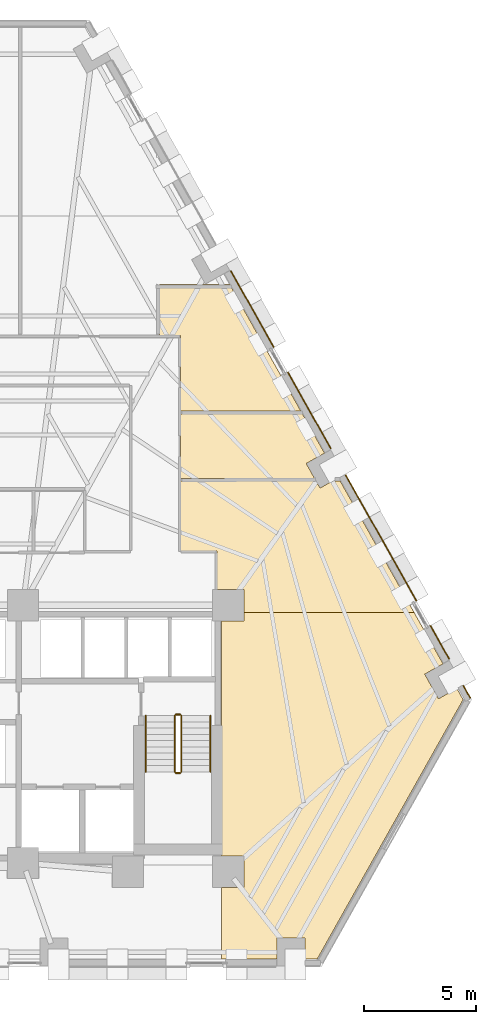
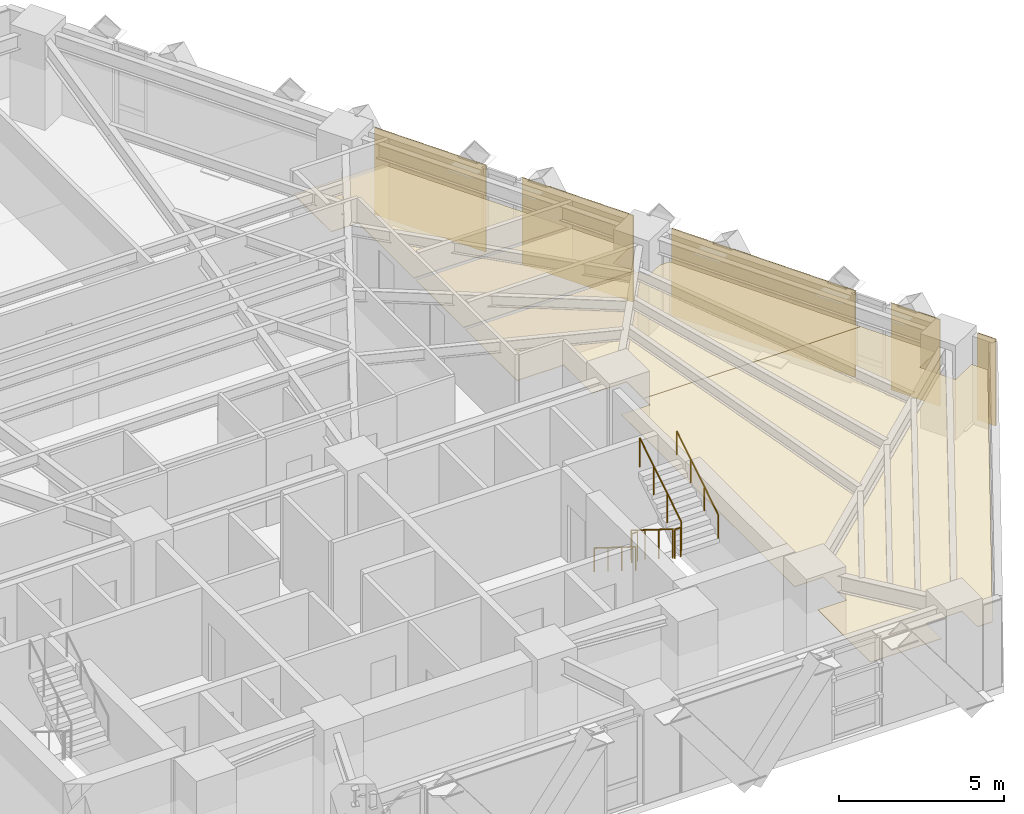
# One storey, part 12 of 13: 9 coverings, 6 railings.
"""IFC4 building model written with IfcOpenShell, lengths in metres."""

from ifc_helpers import new_model, si_unit, direction, frame, origin, origin_2d, place, context, subcontext, project, spatial, polyline, circle, outline, extrude, material, layer, layer_set, type_object, element, save


model = new_model("IFC4")

# Units and contexts
model_context = context("Model", 3, precision=1e-05, world=origin(), true_north=direction((0.0, 1.0)))
body_context = subcontext(model_context, "Body", "Model", "MODEL_VIEW")
ifc_project = project(units=[si_unit("LENGTHUNIT", "METRE"), si_unit("AREAUNIT", "SQUARE_METRE"), si_unit("VOLUMEUNIT", "CUBIC_METRE"), si_unit("PLANEANGLEUNIT", "RADIAN"), si_unit("MASSUNIT", "GRAM", prefix="KILO")], contexts=[model_context])

# Site, building, storey
site_placement = place(None, origin())
site = spatial("IfcSite", under=ifc_project, at=site_placement, CompositionType="ELEMENT")
building_placement = place(site_placement, origin())
building = spatial("IfcBuilding", under=site, at=building_placement, Name="Quenlor Broadcast Tower", CompositionType="ELEMENT")
storey_placement = place(building_placement, frame((0.0, 0.0, 48.60009765625)))
storey = spatial("IfcBuildingStorey", under=building, at=storey_placement, Name="L12", CompositionType="ELEMENT", Elevation=48.60009765625)

# Coverings
ifc_material_1 = material(Name="Acoustic Mineral Fibre Board", Category="other")
ifc_layer_1 = layer(ifc_material_1, 0.02490234375)
ifc_layer_set_1 = layer_set([ifc_layer_1], Name="Acoustic Perforated Mineral Tile Ceiling 25")
covering_type_1 = type_object("IfcCoveringType", Name="Acoustic Perforated Mineral Tile Ceiling 25", PredefinedType="CEILING", material=ifc_layer_set_1)
covering_1_placement = place(storey_placement, frame((0.0, 0.0, 2.224853515625)))
element("IfcCovering", 1, at=covering_1_placement, inside=storey, type_object=covering_type_1, Name="L12 Acoustic Ceiling L12-34", PredefinedType="CEILING", context=body_context, shape_type="SweptSolid", body=[
    extrude(outline(polyline([(9.860107421875, 7.280029296875), (9.860107421875, 9.580078125), (13.0087890625, 9.580078125), (16.20361328125, 3.89990234375), (10.804931640625, 3.89990234375), (10.804931640625, 7.280029296875), (9.860107421875, 7.280029296875)])), origin(), (0.0, 0.0, 1.0), 0.025146484375),
])
covering_2_placement = place(storey_placement, frame((0.0, 0.0, 2.224853515625)))
element("IfcCovering", 2, at=covering_2_placement, inside=storey, type_object=covering_type_1, Name="L12 Acoustic Ceiling L12-36", PredefinedType="CEILING", context=body_context, shape_type="SweptSolid", body=[
    extrude(outline(polyline([(16.44189453125, 1.552978515625), (16.820556640625, 0.879638671875), (10.804931640625, 0.879638671875), (10.804931640625, 3.780029296875), (16.271240234375, 3.780029296875), (17.263671875, 2.015380859375), (16.44189453125, 1.552978515625)])), origin(), (0.0, 0.0, 1.0), 0.025146484375),
])
covering_3_placement = place(storey_placement, frame((0.0, 0.0, 2.224853515625)))
element("IfcCovering", 3, at=covering_3_placement, inside=storey, type_object=covering_type_1, Name="L12 Acoustic Ceiling L12-38-2", PredefinedType="CEILING", context=body_context, shape_type="SweptSolid", body=[
    extrude(outline(polyline([(13.657958984375, -4.092041015625), (12.43994140625, -4.092041015625), (12.43994140625, -2.3701171875), (10.804931640625, -2.3701171875), (10.804931640625, 0.759765625), (16.88818359375, 0.759765625), (17.0625, 0.44970703125), (17.61376953125, 0.759765625), (17.97021484375, 0.759765625), (21.27734375, -5.1201171875), (13.657958984375, -5.1201171875), (13.657958984375, -4.092041015625)])), origin(), (0.0, 0.0, 1.0), 0.025146484375),
])
covering_4_placement = place(storey_placement, frame((0.0, 0.0, 2.224853515625)))
element("IfcCovering", 4, at=covering_4_placement, inside=storey, type_object=covering_type_1, Name="L12 Acoustic Ceiling L12-38-5", PredefinedType="CEILING", context=body_context, shape_type="SweptSolid", body=[
    extrude(outline(polyline([(13.657958984375, -17.4580078125), (13.657958984375, -16.0419921875), (12.64990234375, -16.0419921875), (12.64990234375, -5.508056640625), (13.657958984375, -5.508056640625), (13.657958984375, -5.1201171875), (21.27734375, -5.1201171875), (22.575927734375, -7.428466796875), (21.754150390625, -7.890625), (22.374755859375, -8.994140625), (23.196533203125, -8.531982421875), (23.477783203125, -9.031982421875), (16.937255859375, -20.659912109375), (16.398193359375, -20.659912109375), (16.398193359375, -19.717041015625), (15.132080078125, -19.717041015625), (15.132080078125, -20.659912109375), (12.64990234375, -20.659912109375), (12.64990234375, -17.4580078125), (13.657958984375, -17.4580078125)])), origin(), (0.0, 0.0, 1.0), 0.025146484375),
])
ifc_material_2 = material(Name="Architectural Terracotta Ceramic", Category="masonry")
ifc_layer_2 = layer(ifc_material_2, 0.044921875)
ifc_layer_set_2 = layer_set([ifc_layer_2], Name="Fluted Terracotta Rainscreen Cladding Panel")
covering_type_2 = type_object("IfcCoveringType", Name="Fluted Terracotta Rainscreen Cladding Panel", PredefinedType="CLADDING", material=ifc_layer_set_2)
covering_5_placement = place(storey_placement, frame((0.0, 0.0, 0.02001953125)))
element("IfcCovering", 5, at=covering_5_placement, inside=storey, type_object=covering_type_2, Name="L12 Terracotta Rainscreen Cladding L12-SHD-NES1", PredefinedType="CLADDING", context=body_context, shape_type="SweptSolid", body=[
    extrude(outline(polyline([(23.464111328125, -8.412109375), (23.781982421875, -8.97705078125), (23.8212890625, -8.955078125), (23.50341796875, -8.39013671875), (23.464111328125, -8.412109375)])), origin(), (0.0, 0.0, 1.0), 3.2099609375),
])
covering_6_placement = place(storey_placement, frame((0.0, 0.0, 0.02001953125)))
element("IfcCovering", 6, at=covering_6_placement, inside=storey, type_object=covering_type_2, Name="L12 Terracotta Rainscreen Cladding L12-NEC-SP1", PredefinedType="CLADDING", context=body_context, shape_type="SweptSolid", body=[
    extrude(outline(polyline([(18.18798828125, 1.029052734375), (21.36669921875, -4.621826171875), (21.406005859375, -4.599853515625), (18.227294921875, 1.051025390625), (18.18798828125, 1.029052734375)])), origin(), (0.0, 0.0, 1.0), 3.2099609375),
])
covering_7_placement = place(storey_placement, frame((0.0, 0.0, 0.02001953125)))
element("IfcCovering", 7, at=covering_7_placement, inside=storey, type_object=covering_type_2, Name="L12 Terracotta Rainscreen Cladding L12-NEC-SP2", PredefinedType="CLADDING", context=body_context, shape_type="SweptSolid", body=[
    extrude(outline(polyline([(21.989013671875, -5.728271484375), (22.83349609375, -7.2294921875), (22.872802734375, -7.20751953125), (22.0283203125, -5.706298828125), (21.989013671875, -5.728271484375)])), origin(), (0.0, 0.0, 1.0), 3.2099609375),
])
covering_8_placement = place(storey_placement, frame((0.0, 0.0, 0.02001953125)))
element("IfcCovering", 8, at=covering_8_placement, inside=storey, type_object=covering_type_2, Name="L12 Terracotta Rainscreen Cladding L12-NE-SP1", PredefinedType="CLADDING", context=body_context, shape_type="SweptSolid", body=[
    extrude(outline(polyline([(13.044921875, 10.172607421875), (14.97314453125, 6.744384765625), (15.012451171875, 6.766357421875), (13.083984375, 10.194580078125), (13.044921875, 10.172607421875)])), origin(), (0.0, 0.0, 1.0), 3.2099609375),
])
covering_9_placement = place(storey_placement, frame((0.0, 0.0, 0.02001953125)))
element("IfcCovering", 9, at=covering_9_placement, inside=storey, type_object=covering_type_2, Name="L12 Terracotta Rainscreen Cladding L12-NE-SP2", PredefinedType="CLADDING", context=body_context, shape_type="SweptSolid", body=[
    extrude(outline(polyline([(15.595458984375, 5.63818359375), (17.523681640625, 2.2099609375), (17.56298828125, 2.23193359375), (15.634765625, 5.66015625), (15.595458984375, 5.63818359375)])), origin(), (0.0, 0.0, 1.0), 3.2099609375),
])

# Railings
ifc_material_3 = material(Name="Anodised Aluminium", Category="aluminium")
railing_type_1 = type_object("IfcRailingType", Name="Stainless Aluminium Wall Handrail 900", PredefinedType="HANDRAIL", material=ifc_material_3)
railing_1_placement = place(storey_placement, frame((9.25, -9.75, 0.1748046875)))
element("IfcRailing", 10, at=railing_1_placement, inside=storey, type_object=railing_type_1, Name="L12 ST-2 stair handrail 1", PredefinedType="HANDRAIL", context=body_context, shape_type="SweptSolid", body=[
    extrude(circle(Radius=0.02392578125, at=origin_2d()), frame((0.0, 0.0, 0.8759765625), z_axis=(0.0, -0.847970611238, 0.530043245855), x_axis=(1.0, 0.0, 0.0)), (0.0, 0.0, 1.0), 2.971923828125),
    extrude(circle(Radius=0.02099609375, at=origin_2d()), origin(), (0.0, 0.0, 1.0), 0.851806640625),
    extrude(circle(Radius=0.02099609375, at=origin_2d()), frame((0.0, -0.840087890625, 0.525146484375)), (0.0, 0.0, 1.0), 0.851806640625),
    extrude(circle(Radius=0.02099609375, at=origin_2d()), frame((0.0, -1.679931640625, 1.050048828125)), (0.0, 0.0, 1.0), 0.851806640625),
    extrude(circle(Radius=0.02099609375, at=origin_2d()), frame((0.0, -2.52001953125, 1.5751953125)), (0.0, 0.0, 1.0), 0.851806640625),
])
railing_2_placement = place(storey_placement, frame((12.14990234375, -12.27001953125, 1.9248046875)))
element("IfcRailing", 11, at=railing_2_placement, inside=storey, type_object=railing_type_1, Name="L12 ST-2 stair handrail 2", PredefinedType="HANDRAIL", context=body_context, shape_type="SweptSolid", body=[
    extrude(circle(Radius=0.02392578125, at=origin_2d()), frame((0.0, 0.0, 0.8759765625), z_axis=(0.0, 0.847970611238, 0.530043245855), x_axis=(-1.0, 0.0, 0.0)), (0.0, 0.0, 1.0), 2.971923828125),
    extrude(circle(Radius=0.02099609375, at=origin_2d()), origin(), (0.0, 0.0, 1.0), 0.851806640625),
    extrude(circle(Radius=0.02099609375, at=origin_2d()), frame((0.0, 0.840087890625, 0.525146484375)), (0.0, 0.0, 1.0), 0.851806640625),
    extrude(circle(Radius=0.02099609375, at=origin_2d()), frame((0.0, 1.679931640625, 1.050048828125)), (0.0, 0.0, 1.0), 0.851806640625),
    extrude(circle(Radius=0.02099609375, at=origin_2d()), frame((0.0, 2.52001953125, 1.5751953125)), (0.0, 0.0, 1.0), 0.851806640625),
])
ifc_material_4 = material(Name="Steel S355", Category="steel")
railing_type_2 = type_object("IfcRailingType", Name="Tubular Steel S355 Stair Guardrail 1100", PredefinedType="BALUSTRADE", material=ifc_material_4)
railing_3_placement = place(storey_placement, frame((10.550048828125, -9.75, 0.1748046875)))
element("IfcRailing", 12, at=railing_3_placement, inside=storey, type_object=railing_type_2, Name="L12 ST-2 stair guard 1", PredefinedType="BALUSTRADE", context=body_context, shape_type="SweptSolid", body=[
    extrude(circle(Radius=0.02392578125, at=origin_2d()), frame((0.0, 0.0, 1.076171875), z_axis=(0.0, -0.847970611238, 0.530043245855), x_axis=(1.0, 0.0, 0.0)), (0.0, 0.0, 1.0), 2.971923828125),
    extrude(circle(Radius=0.02099609375, at=origin_2d()), origin(), (0.0, 0.0, 1.0), 1.052001953125),
    extrude(circle(Radius=0.02099609375, at=origin_2d()), frame((0.0, -0.840087890625, 0.525146484375)), (0.0, 0.0, 1.0), 1.052001953125),
    extrude(circle(Radius=0.02099609375, at=origin_2d()), frame((0.0, -1.679931640625, 1.050048828125)), (0.0, 0.0, 1.0), 1.052001953125),
    extrude(circle(Radius=0.02099609375, at=origin_2d()), frame((0.0, -2.52001953125, 1.5751953125)), (0.0, 0.0, 1.0), 1.052001953125),
])
railing_4_placement = place(storey_placement, frame((10.60009765625, -12.320068359375, 1.75)))
element("IfcRailing", 13, at=railing_4_placement, inside=storey, type_object=railing_type_2, Name="L12 ST-2 stair guard 2", PredefinedType="BALUSTRADE", context=body_context, shape_type="SweptSolid", body=[
    extrude(circle(Radius=0.02392578125, at=origin_2d()), frame((0.0, 0.0, 1.076171875), z_axis=(1.0, 0.0, 0.0), x_axis=(0.0, 1.0, 0.0)), (0.0, 0.0, 1.0), 0.199951171875),
    extrude(circle(Radius=0.02099609375, at=origin_2d()), origin(), (0.0, 0.0, 1.0), 1.052001953125),
    extrude(circle(Radius=0.02099609375, at=origin_2d()), frame((0.199951171875, 0.0, 0.0)), (0.0, 0.0, 1.0), 1.052001953125),
])
railing_5_placement = place(storey_placement, frame((10.85009765625, -12.27001953125, 1.9248046875)))
element("IfcRailing", 14, at=railing_5_placement, inside=storey, type_object=railing_type_2, Name="L12 ST-2 stair guard 3", PredefinedType="BALUSTRADE", context=body_context, shape_type="SweptSolid", body=[
    extrude(circle(Radius=0.02392578125, at=origin_2d()), frame((0.0, 0.0, 1.076171875), z_axis=(0.0, 0.847970611238, 0.530043245855), x_axis=(-1.0, 0.0, 0.0)), (0.0, 0.0, 1.0), 2.971923828125),
    extrude(circle(Radius=0.02099609375, at=origin_2d()), origin(), (0.0, 0.0, 1.0), 1.052001953125),
    extrude(circle(Radius=0.02099609375, at=origin_2d()), frame((0.0, 0.840087890625, 0.525146484375)), (0.0, 0.0, 1.0), 1.052001953125),
    extrude(circle(Radius=0.02099609375, at=origin_2d()), frame((0.0, 1.679931640625, 1.050048828125)), (0.0, 0.0, 1.0), 1.052001953125),
    extrude(circle(Radius=0.02099609375, at=origin_2d()), frame((0.0, 2.52001953125, 1.5751953125)), (0.0, 0.0, 1.0), 1.052001953125),
])
railing_6_placement = place(storey_placement, frame((10.60009765625, -9.699951171875, 0.0)))
element("IfcRailing", 15, at=railing_6_placement, inside=storey, type_object=railing_type_2, Name="L12 ST-2 stair guard 4", PredefinedType="BALUSTRADE", context=body_context, shape_type="SweptSolid", body=[
    extrude(circle(Radius=0.02392578125, at=origin_2d()), frame((0.0, 0.0, 1.076171875), z_axis=(1.0, 0.0, 0.0), x_axis=(0.0, 1.0, 0.0)), (0.0, 0.0, 1.0), 0.199951171875),
    extrude(circle(Radius=0.02099609375, at=origin_2d()), origin(), (0.0, 0.0, 1.0), 1.052001953125),
    extrude(circle(Radius=0.02099609375, at=origin_2d()), frame((0.199951171875, 0.0, 0.0)), (0.0, 0.0, 1.0), 1.052001953125),
])

save(model, "model.ifc")
